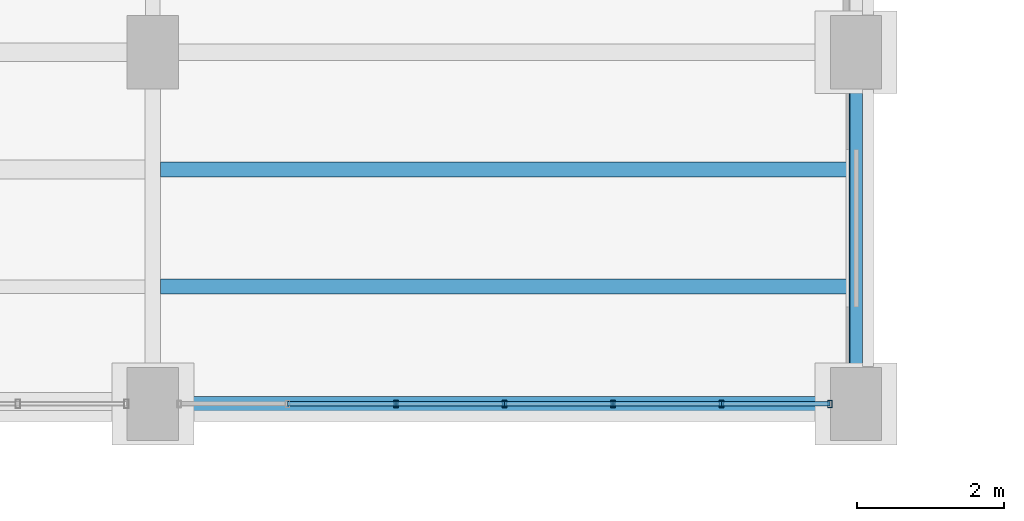
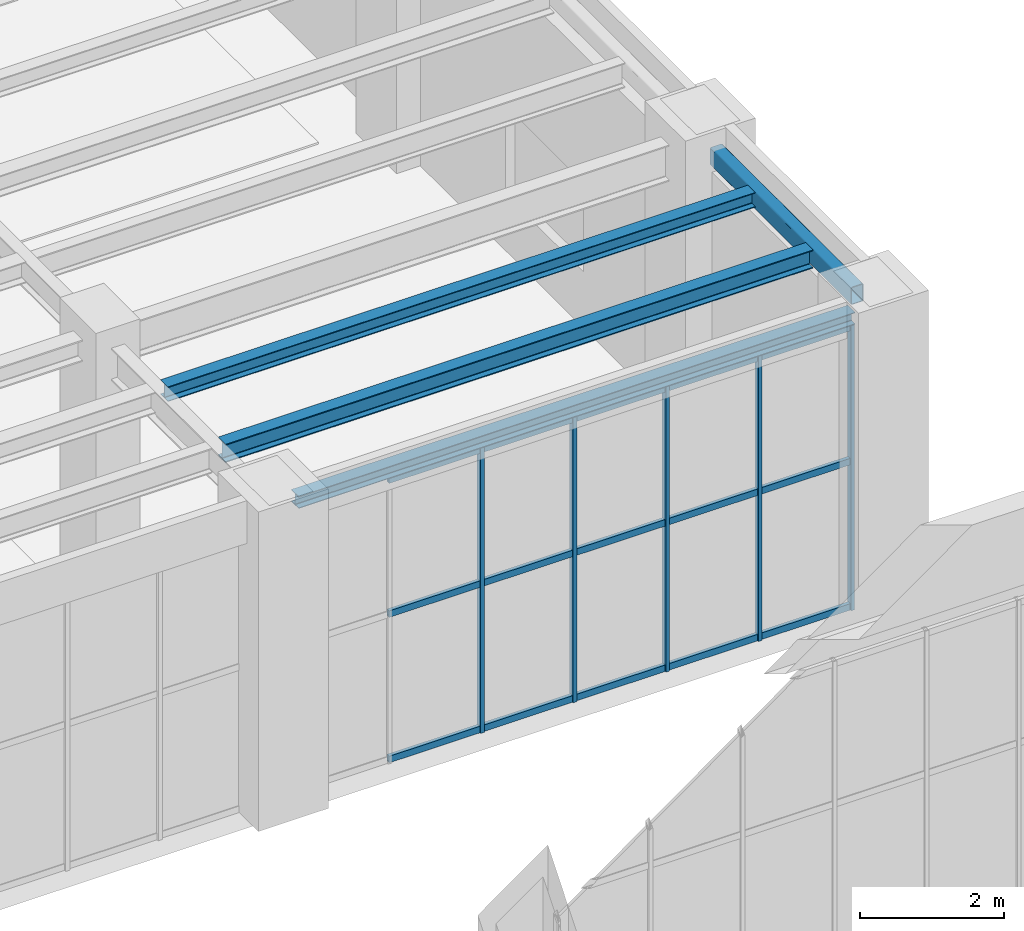
# One storey, part 105 of 164: 20 members, 4 beams, 1 element without a shape of its own.
"""IFC4 building model written with IfcOpenShell, lengths in metres."""

from ifc_helpers import new_model, si_unit, direction, frame, origin, origin_2d, place, context, subcontext, project, spatial, hollow_rectangle, i_section, extrude, material, material_profile, profile_set, type_object, element, aggregate, save


model = new_model("IFC4")

# Units and contexts
model_context = context("Model", 3, precision=1e-05, world=origin(), true_north=direction((0.0, 1.0)))
body_context = subcontext(model_context, "Body", "Model", "MODEL_VIEW")
ifc_project = project(units=[si_unit("LENGTHUNIT", "METRE"), si_unit("AREAUNIT", "SQUARE_METRE"), si_unit("VOLUMEUNIT", "CUBIC_METRE"), si_unit("PLANEANGLEUNIT", "RADIAN"), si_unit("MASSUNIT", "GRAM", prefix="KILO")], contexts=[model_context])

# Site, building, storey
site_placement = place(None, origin())
site = spatial("IfcSite", under=ifc_project, at=site_placement, CompositionType="ELEMENT")
building_placement = place(site_placement, origin())
building = spatial("IfcBuilding", under=site, at=building_placement, Name="Mavantir Sound Aquarium", CompositionType="ELEMENT")
storey_placement = place(building_placement, origin())
storey = spatial("IfcBuildingStorey", under=building, at=storey_placement, Name="L00", CompositionType="ELEMENT", Elevation=0.0)

# Beams
ifc_material_1 = material(Name="Hollow Structural Steel ASTM A500 GrC", Category="steel")
ifc_material_profile_1 = material_profile(ifc_material_1, hollow_rectangle(XDim=0.199951171875, YDim=0.300048828125, WallThickness=0.012451171875, InnerFilletRadius=0.012451171875, OuterFilletRadius=0.02490234375, at=origin_2d()), Name="RHS 300X200X12.5")
ifc_profile_set_1 = profile_set([ifc_material_profile_1], Name="Hollow Structural Steel ASTM A500 GrC")
beam_type_1 = type_object("IfcBeamType", Name="BM-RHS300-E", PredefinedType="SPANDREL", material=ifc_profile_set_1)
beam_1_placement = place(storey_placement, frame((175.199951171875, 36.449951171875, 4.916015625), z_axis=(0.0, 1.0, 0.0), x_axis=(-1.0, 0.0, 0.0)))
element("IfcBeam", 1, at=beam_1_placement, inside=storey, type_object=beam_type_1, Name="L00 primary girder SS-R30 1025", PredefinedType="SPANDREL", context=body_context, shape_type="SweptSolid", body=[
    extrude(hollow_rectangle(XDim=0.199951171875, YDim=0.300048828125, WallThickness=0.012451171875, InnerFilletRadius=0.012451171875, OuterFilletRadius=0.02490234375, at=origin_2d()), origin(), (0.0, 0.0, 1.0), 3.900146484375),
])
ifc_material_2 = material(Name="Structural Steel ASTM A992 Gr50", Category="steel")
ifc_material_profile_2 = material_profile(ifc_material_2, i_section(OverallWidth=0.202880859375, OverallDepth=0.202880859375, WebThickness=0.007080078125, FlangeThickness=0.010986328125, FilletRadius=0.010009765625, at=origin_2d()), Name="W200X46")
ifc_profile_set_2 = profile_set([ifc_material_profile_2], Name="Structural Steel ASTM A992 Gr50")
beam_type_2 = type_object("IfcBeamType", Name="BM-W200X46-E", PredefinedType="LINTEL", material=ifc_profile_set_2)
beam_2_placement = place(storey_placement, frame((165.949951171875, 36.0, 4.964599609375), z_axis=(1.0, 0.0, 0.0), x_axis=(0.0, 1.0, 0.0)))
element("IfcBeam", 2, at=beam_2_placement, inside=storey, type_object=beam_type_2, Name="L00 primary beam SL-20 930", PredefinedType="LINTEL", context=body_context, shape_type="SweptSolid", body=[
    extrude(i_section(OverallWidth=0.202880859375, OverallDepth=0.202880859375, WebThickness=0.007080078125, FlangeThickness=0.010986328125, FilletRadius=0.010009765625, at=origin_2d()), origin(), (0.0, 0.0, 1.0), 8.900146484375),
])
ifc_material_profile_3 = material_profile(ifc_material_2, i_section(OverallWidth=0.202880859375, OverallDepth=0.251953125, WebThickness=0.008056640625, FlangeThickness=0.013427734375, FilletRadius=0.011962890625, at=origin_2d()), Name="W250X58")
ifc_profile_set_3 = profile_set([ifc_material_profile_3], Name="Structural Steel ASTM A992 Gr50")
beam_type_3 = type_object("IfcBeamType", Name="BM-W250X58-I", PredefinedType="JOIST", material=ifc_profile_set_3)
beam_3_placement = place(storey_placement, frame((165.7060546875, 39.199951171875, 4.93994140625), z_axis=(1.0, 0.0, 0.0), x_axis=(0.0, 1.0, 0.0)))
element("IfcBeam", 3, at=beam_3_placement, inside=storey, type_object=beam_type_3, Name="L00 secondary floor joist SJ-25 520", PredefinedType="JOIST", context=body_context, shape_type="SweptSolid", body=[
    extrude(i_section(OverallWidth=0.202880859375, OverallDepth=0.251953125, WebThickness=0.008056640625, FlangeThickness=0.013427734375, FilletRadius=0.011962890625, at=origin_2d()), origin(), (0.0, 0.0, 1.0), 9.39404296875),
])
ifc_material_profile_4 = material_profile(ifc_material_2, i_section(OverallWidth=0.205078125, OverallDepth=0.31005859375, WebThickness=0.009521484375, FlangeThickness=0.016357421875, FilletRadius=0.012939453125, at=origin_2d()), Name="W310X74")
ifc_profile_set_4 = profile_set([ifc_material_profile_4], Name="Structural Steel ASTM A992 Gr50")
beam_type_4 = type_object("IfcBeamType", Name="BM-W310X74-I", PredefinedType="JOIST", material=ifc_profile_set_4)
beam_4_placement = place(storey_placement, frame((165.7060546875, 37.60009765625, 4.910888671875), z_axis=(1.0, 0.0, 0.0), x_axis=(0.0, 1.0, 0.0)))
element("IfcBeam", 4, at=beam_4_placement, inside=storey, type_object=beam_type_4, Name="L00 secondary floor joist SJ-31 519", PredefinedType="JOIST", context=body_context, shape_type="SweptSolid", body=[
    extrude(i_section(OverallWidth=0.205078125, OverallDepth=0.31005859375, WebThickness=0.009521484375, FlangeThickness=0.016357421875, FilletRadius=0.012939453125, at=origin_2d()), origin(), (0.0, 0.0, 1.0), 9.39404296875),
])

# Curtain wall, members
ifc_material_3 = material(Name="Anodised Marine Aluminium and Low-E Glass", Category="aluminium")
curtain_wall_type = type_object("IfcCurtainWallType", Name="CW-T01", PredefinedType="USERDEFINED", material=ifc_material_3)
curtain_wall_placement = place(storey_placement, origin())
curtain_wall = element("IfcCurtainWall", 5, at=curtain_wall_placement, inside=storey, type_object=curtain_wall_type, Name="L00 unitised curtain wall CW-01 25", ObjectType="UNITISED GLAZING", PredefinedType="USERDEFINED")
ifc_material_4 = material(Name="Anodised Marine Aluminium 6063-T6", Category="aluminium")
ifc_material_profile_5 = material_profile(ifc_material_4, hollow_rectangle(XDim=0.06005859375, YDim=0.10009765625, WallThickness=0.00390625, at=origin_2d()), Name="ALU-MULLION-100X60")
ifc_profile_set_5 = profile_set([ifc_material_profile_5], Name="Anodised Marine Aluminium 6063-T6")
member_type_1 = type_object("IfcMemberType", Name="CW-MUL-100", PredefinedType="MULLION", material=ifc_profile_set_5)
member_1_placement = place(storey_placement, frame((168.919189453125, 36.0, 0.0), z_axis=(0.0, 0.0, 1.0), x_axis=(1.0, 0.0, 0.0)))
member_1 = element("IfcMember", 6, at=member_1_placement, type_object=member_type_1, Name="CW-L00-025 vertical mullion 3", PredefinedType="MULLION", context=body_context, shape_type="SweptSolid", body=[
    extrude(hollow_rectangle(XDim=0.06005859375, YDim=0.10009765625, WallThickness=0.00390625, at=origin_2d()), origin(), (0.0, 0.0, 1.0), 4.8330078125),
])
member_2_placement = place(storey_placement, frame((170.39990234375, 36.0, 0.0), z_axis=(0.0, 0.0, 1.0), x_axis=(1.0, 0.0, 0.0)))
member_2 = element("IfcMember", 7, at=member_2_placement, type_object=member_type_1, Name="CW-L00-025 vertical mullion 4", PredefinedType="MULLION", context=body_context, shape_type="SweptSolid", body=[
    extrude(hollow_rectangle(XDim=0.06005859375, YDim=0.10009765625, WallThickness=0.00390625, at=origin_2d()), origin(), (0.0, 0.0, 1.0), 4.8330078125),
])
member_3_placement = place(storey_placement, frame((171.880615234375, 36.0, 0.0), z_axis=(0.0, 0.0, 1.0), x_axis=(1.0, 0.0, 0.0)))
member_3 = element("IfcMember", 8, at=member_3_placement, type_object=member_type_1, Name="CW-L00-025 vertical mullion 5", PredefinedType="MULLION", context=body_context, shape_type="SweptSolid", body=[
    extrude(hollow_rectangle(XDim=0.06005859375, YDim=0.10009765625, WallThickness=0.00390625, at=origin_2d()), origin(), (0.0, 0.0, 1.0), 4.8330078125),
])
member_4_placement = place(storey_placement, frame((173.361328125, 36.0, 0.0), z_axis=(0.0, 0.0, 1.0), x_axis=(1.0, 0.0, 0.0)))
member_4 = element("IfcMember", 9, at=member_4_placement, type_object=member_type_1, Name="CW-L00-025 vertical mullion 6", PredefinedType="MULLION", context=body_context, shape_type="SweptSolid", body=[
    extrude(hollow_rectangle(XDim=0.06005859375, YDim=0.10009765625, WallThickness=0.00390625, at=origin_2d()), origin(), (0.0, 0.0, 1.0), 4.8330078125),
])
member_5_placement = place(storey_placement, frame((174.842041015625, 36.0, 0.0), z_axis=(0.0, 0.0, 1.0), x_axis=(1.0, 0.0, 0.0)))
member_5 = element("IfcMember", 10, at=member_5_placement, type_object=member_type_1, Name="CW-L00-025 vertical mullion 7", PredefinedType="MULLION", context=body_context, shape_type="SweptSolid", body=[
    extrude(hollow_rectangle(XDim=0.06005859375, YDim=0.10009765625, WallThickness=0.00390625, at=origin_2d()), origin(), (0.0, 0.0, 1.0), 4.8330078125),
])
ifc_material_profile_6 = material_profile(ifc_material_4, hollow_rectangle(XDim=0.06005859375, YDim=0.110107421875, WallThickness=0.00390625, at=origin_2d()), Name="ALU-TRANSOM-110X60")
ifc_profile_set_6 = profile_set([ifc_material_profile_6], Name="Anodised Marine Aluminium 6063-T6")
member_type_2 = type_object("IfcMemberType", Name="CW-TRN-110", PredefinedType="USERDEFINED", material=ifc_profile_set_6)
member_6_placement = place(storey_placement, frame((167.438720703125, 36.0, 0.054931640625), z_axis=(1.0, 0.0, 0.0), x_axis=(0.0, 1.0, 0.0)))
member_6 = element("IfcMember", 11, at=member_6_placement, type_object=member_type_2, Name="CW-L00-025 transom 2.1", ObjectType="TRANSOM", PredefinedType="USERDEFINED", context=body_context, shape_type="SweptSolid", body=[
    extrude(hollow_rectangle(XDim=0.06005859375, YDim=0.110107421875, WallThickness=0.00390625, at=origin_2d()), origin(), (0.0, 0.0, 1.0), 1.48046875),
])
member_7_placement = place(storey_placement, frame((167.438720703125, 36.0, 2.51318359375), z_axis=(1.0, 0.0, 0.0), x_axis=(0.0, 1.0, 0.0)))
member_7 = element("IfcMember", 12, at=member_7_placement, type_object=member_type_2, Name="CW-L00-025 transom 2.2", ObjectType="TRANSOM", PredefinedType="USERDEFINED", context=body_context, shape_type="SweptSolid", body=[
    extrude(hollow_rectangle(XDim=0.06005859375, YDim=0.110107421875, WallThickness=0.00390625, at=origin_2d()), origin(), (0.0, 0.0, 1.0), 1.48046875),
])
member_8_placement = place(storey_placement, frame((167.438720703125, 36.0, 4.778076171875), z_axis=(1.0, 0.0, 0.0), x_axis=(0.0, 1.0, 0.0)))
member_8 = element("IfcMember", 13, at=member_8_placement, type_object=member_type_2, Name="CW-L00-025 transom 2.3", ObjectType="TRANSOM", PredefinedType="USERDEFINED", context=body_context, shape_type="SweptSolid", body=[
    extrude(hollow_rectangle(XDim=0.06005859375, YDim=0.110107421875, WallThickness=0.00390625, at=origin_2d()), origin(), (0.0, 0.0, 1.0), 1.48046875),
])
member_9_placement = place(storey_placement, frame((168.919189453125, 36.0, 0.054931640625), z_axis=(1.0, 0.0, 0.0), x_axis=(0.0, 1.0, 0.0)))
member_9 = element("IfcMember", 14, at=member_9_placement, type_object=member_type_2, Name="CW-L00-025 transom 3.1", ObjectType="TRANSOM", PredefinedType="USERDEFINED", context=body_context, shape_type="SweptSolid", body=[
    extrude(hollow_rectangle(XDim=0.06005859375, YDim=0.110107421875, WallThickness=0.00390625, at=origin_2d()), origin(), (0.0, 0.0, 1.0), 1.480712890625),
])
member_10_placement = place(storey_placement, frame((168.919189453125, 36.0, 2.51318359375), z_axis=(1.0, 0.0, 0.0), x_axis=(0.0, 1.0, 0.0)))
member_10 = element("IfcMember", 15, at=member_10_placement, type_object=member_type_2, Name="CW-L00-025 transom 3.2", ObjectType="TRANSOM", PredefinedType="USERDEFINED", context=body_context, shape_type="SweptSolid", body=[
    extrude(hollow_rectangle(XDim=0.06005859375, YDim=0.110107421875, WallThickness=0.00390625, at=origin_2d()), origin(), (0.0, 0.0, 1.0), 1.480712890625),
])
member_11_placement = place(storey_placement, frame((168.919189453125, 36.0, 4.778076171875), z_axis=(1.0, 0.0, 0.0), x_axis=(0.0, 1.0, 0.0)))
member_11 = element("IfcMember", 16, at=member_11_placement, type_object=member_type_2, Name="CW-L00-025 transom 3.3", ObjectType="TRANSOM", PredefinedType="USERDEFINED", context=body_context, shape_type="SweptSolid", body=[
    extrude(hollow_rectangle(XDim=0.06005859375, YDim=0.110107421875, WallThickness=0.00390625, at=origin_2d()), origin(), (0.0, 0.0, 1.0), 1.480712890625),
])
member_12_placement = place(storey_placement, frame((170.39990234375, 36.0, 0.054931640625), z_axis=(1.0, 0.0, 0.0), x_axis=(0.0, 1.0, 0.0)))
member_12 = element("IfcMember", 17, at=member_12_placement, type_object=member_type_2, Name="CW-L00-025 transom 4.1", ObjectType="TRANSOM", PredefinedType="USERDEFINED", context=body_context, shape_type="SweptSolid", body=[
    extrude(hollow_rectangle(XDim=0.06005859375, YDim=0.110107421875, WallThickness=0.00390625, at=origin_2d()), origin(), (0.0, 0.0, 1.0), 1.480712890625),
])
member_13_placement = place(storey_placement, frame((170.39990234375, 36.0, 2.51318359375), z_axis=(1.0, 0.0, 0.0), x_axis=(0.0, 1.0, 0.0)))
member_13 = element("IfcMember", 18, at=member_13_placement, type_object=member_type_2, Name="CW-L00-025 transom 4.2", ObjectType="TRANSOM", PredefinedType="USERDEFINED", context=body_context, shape_type="SweptSolid", body=[
    extrude(hollow_rectangle(XDim=0.06005859375, YDim=0.110107421875, WallThickness=0.00390625, at=origin_2d()), origin(), (0.0, 0.0, 1.0), 1.480712890625),
])
member_14_placement = place(storey_placement, frame((170.39990234375, 36.0, 4.778076171875), z_axis=(1.0, 0.0, 0.0), x_axis=(0.0, 1.0, 0.0)))
member_14 = element("IfcMember", 19, at=member_14_placement, type_object=member_type_2, Name="CW-L00-025 transom 4.3", ObjectType="TRANSOM", PredefinedType="USERDEFINED", context=body_context, shape_type="SweptSolid", body=[
    extrude(hollow_rectangle(XDim=0.06005859375, YDim=0.110107421875, WallThickness=0.00390625, at=origin_2d()), origin(), (0.0, 0.0, 1.0), 1.480712890625),
])
member_15_placement = place(storey_placement, frame((171.880615234375, 36.0, 0.054931640625), z_axis=(1.0, 0.0, 0.0), x_axis=(0.0, 1.0, 0.0)))
member_15 = element("IfcMember", 20, at=member_15_placement, type_object=member_type_2, Name="CW-L00-025 transom 5.1", ObjectType="TRANSOM", PredefinedType="USERDEFINED", context=body_context, shape_type="SweptSolid", body=[
    extrude(hollow_rectangle(XDim=0.06005859375, YDim=0.110107421875, WallThickness=0.00390625, at=origin_2d()), origin(), (0.0, 0.0, 1.0), 1.480712890625),
])
member_16_placement = place(storey_placement, frame((171.880615234375, 36.0, 2.51318359375), z_axis=(1.0, 0.0, 0.0), x_axis=(0.0, 1.0, 0.0)))
member_16 = element("IfcMember", 21, at=member_16_placement, type_object=member_type_2, Name="CW-L00-025 transom 5.2", ObjectType="TRANSOM", PredefinedType="USERDEFINED", context=body_context, shape_type="SweptSolid", body=[
    extrude(hollow_rectangle(XDim=0.06005859375, YDim=0.110107421875, WallThickness=0.00390625, at=origin_2d()), origin(), (0.0, 0.0, 1.0), 1.480712890625),
])
member_17_placement = place(storey_placement, frame((171.880615234375, 36.0, 4.778076171875), z_axis=(1.0, 0.0, 0.0), x_axis=(0.0, 1.0, 0.0)))
member_17 = element("IfcMember", 22, at=member_17_placement, type_object=member_type_2, Name="CW-L00-025 transom 5.3", ObjectType="TRANSOM", PredefinedType="USERDEFINED", context=body_context, shape_type="SweptSolid", body=[
    extrude(hollow_rectangle(XDim=0.06005859375, YDim=0.110107421875, WallThickness=0.00390625, at=origin_2d()), origin(), (0.0, 0.0, 1.0), 1.480712890625),
])
member_18_placement = place(storey_placement, frame((173.361328125, 36.0, 0.054931640625), z_axis=(1.0, 0.0, 0.0), x_axis=(0.0, 1.0, 0.0)))
member_18 = element("IfcMember", 23, at=member_18_placement, type_object=member_type_2, Name="CW-L00-025 transom 6.1", ObjectType="TRANSOM", PredefinedType="USERDEFINED", context=body_context, shape_type="SweptSolid", body=[
    extrude(hollow_rectangle(XDim=0.06005859375, YDim=0.110107421875, WallThickness=0.00390625, at=origin_2d()), origin(), (0.0, 0.0, 1.0), 1.480712890625),
])
member_19_placement = place(storey_placement, frame((173.361328125, 36.0, 2.51318359375), z_axis=(1.0, 0.0, 0.0), x_axis=(0.0, 1.0, 0.0)))
member_19 = element("IfcMember", 24, at=member_19_placement, type_object=member_type_2, Name="CW-L00-025 transom 6.2", ObjectType="TRANSOM", PredefinedType="USERDEFINED", context=body_context, shape_type="SweptSolid", body=[
    extrude(hollow_rectangle(XDim=0.06005859375, YDim=0.110107421875, WallThickness=0.00390625, at=origin_2d()), origin(), (0.0, 0.0, 1.0), 1.480712890625),
])
member_20_placement = place(storey_placement, frame((173.361328125, 36.0, 4.778076171875), z_axis=(1.0, 0.0, 0.0), x_axis=(0.0, 1.0, 0.0)))
member_20 = element("IfcMember", 25, at=member_20_placement, type_object=member_type_2, Name="CW-L00-025 transom 6.3", ObjectType="TRANSOM", PredefinedType="USERDEFINED", context=body_context, shape_type="SweptSolid", body=[
    extrude(hollow_rectangle(XDim=0.06005859375, YDim=0.110107421875, WallThickness=0.00390625, at=origin_2d()), origin(), (0.0, 0.0, 1.0), 1.480712890625),
])
aggregate(curtain_wall, [member_1, member_2, member_3, member_4, member_5, member_6, member_7, member_8, member_9, member_10, member_11, member_12, member_13, member_14, member_15, member_16, member_17, member_18, member_19, member_20])

save(model, "model.ifc")
